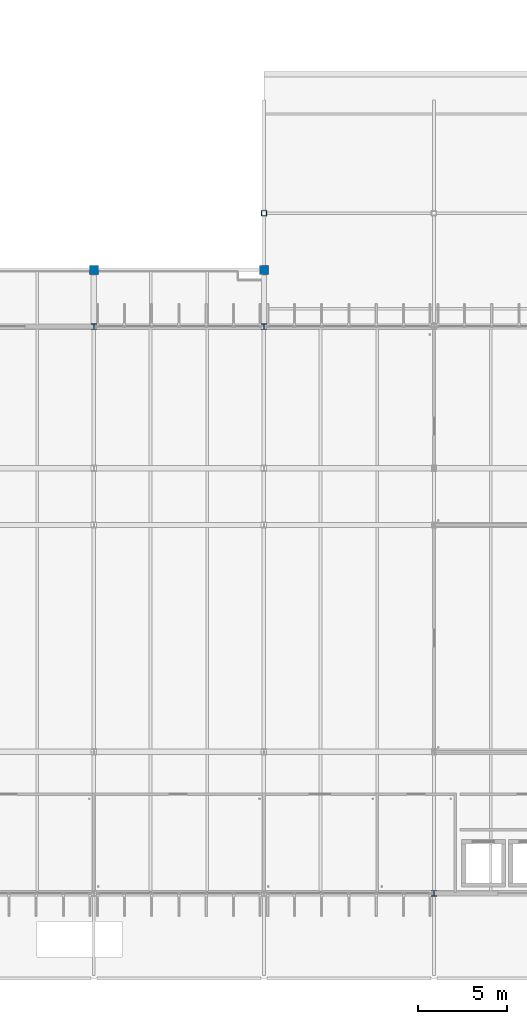
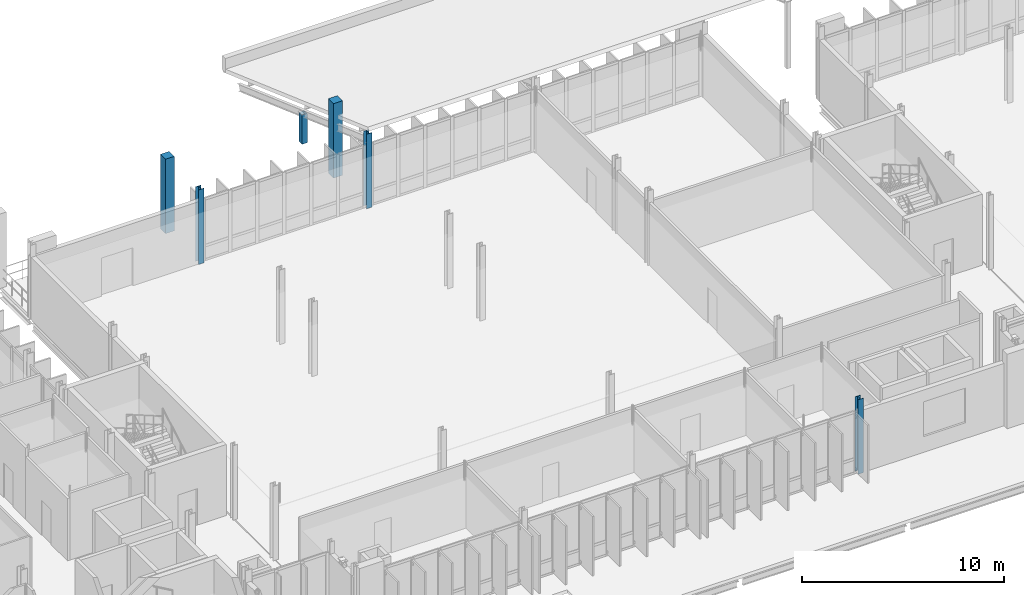
# One storey, part 5 of 107: 6 columns.
"""IFC4 building model written with IfcOpenShell, lengths in metres."""

import ifcopenshell
import ifcopenshell.guid

model = None  # the IFC model being written
_history = None  # IfcOwnerHistory: only IFC2X3 demands one
_inside = {}  # id of a spatial element -> (the spatial element, [elements in it])
_under = {}  # id of a project, library or spatial element -> (it, [spatial elements below it])
_declared = {}  # id of a project -> (the project, [libraries it declares])
_typed = {}  # id of a type object -> (the type object, [elements of that type])
_made_of = {}  # id of a material, layer set ... -> (it, [elements and type objects made of it])


def new_model(schema):
    """Start an empty IFC model of exactly this schema.

    Asked for "IFC4X3", IfcOpenShell would pick the latest addendum, in which some entities
    have other attributes; the version numbers below select the first issue.
    IFC2X3 requires an IfcOwnerHistory on every rooted entity: one is made here for all.
    """
    global model, _history
    if schema == "IFC4X3":
        model = ifcopenshell.file(schema_version=(4, 3, 0, 0))
    else:
        model = ifcopenshell.file(schema=schema)
    _inside.clear()
    _under.clear()
    _declared.clear()
    _typed.clear()
    _made_of.clear()
    _history = None
    if model.schema == "IFC2X3":
        org = make("IfcOrganization", Name="unknown")
        user = make(
            "IfcPersonAndOrganization",
            ThePerson=make("IfcPerson", FamilyName="unknown"),
            TheOrganization=org,
        )
        app = make(
            "IfcApplication",
            ApplicationDeveloper=org,
            Version="unknown",
            ApplicationFullName="unknown",
            ApplicationIdentifier="unknown",
        )
        _history = make(
            "IfcOwnerHistory",
            OwningUser=user,
            OwningApplication=app,
            ChangeAction="ADDED",
            CreationDate=0,
        )
    return model


def make(cls, **values):
    """One entity of the class cls with the attributes given. An attribute that is None is left unset."""
    return model.create_entity(
        cls, **{name: value for name, value in values.items() if value is not None}
    )


def rooted(cls, **values):
    """An entity with a GlobalId (a new one), such as an element, a storey or a relation."""
    return make(cls, GlobalId=ifcopenshell.guid.new(), OwnerHistory=_history, **values)


def si_unit(unit_type, name, prefix=None):
    """IfcSIUnit, for example si_unit("LENGTHUNIT", "METRE", prefix="MILLI")."""
    return make("IfcSIUnit", UnitType=unit_type, Prefix=prefix, Name=name)


def assignment(units):
    """IfcUnitAssignment: the units of a project."""
    return None if units is None else make("IfcUnitAssignment", Units=units)


def point(xyz):
    """IfcCartesianPoint."""
    return None if xyz is None else make("IfcCartesianPoint", Coordinates=xyz)


def direction(xyz):
    """IfcDirection."""
    return None if xyz is None else make("IfcDirection", DirectionRatios=xyz)


def frame(location, z_axis=None, x_axis=None):
    """IfcAxis2Placement3D, a coordinate frame: its origin and axes. An axis left out is left unset."""
    return make(
        "IfcAxis2Placement3D",
        Location=point(location),
        Axis=direction(z_axis),
        RefDirection=direction(x_axis),
    )


def frame_2d(location, x_axis=None):
    """IfcAxis2Placement2D, a coordinate frame in the plane: its origin and x axis."""
    return make(
        "IfcAxis2Placement2D", Location=point(location), RefDirection=direction(x_axis)
    )


def origin():
    """The frame at (0, 0, 0) with its axes left unset."""
    return frame((0.0, 0.0, 0.0))


def origin_2d():
    """The frame at (0, 0) in the plane with its x axis left unset."""
    return frame_2d((0.0, 0.0))


def place(relative_to, where):
    """IfcLocalPlacement: puts the frame where relative to a parent placement (None: the world)."""
    return make(
        "IfcLocalPlacement", PlacementRelTo=relative_to, RelativePlacement=where
    )


def context(
    kind, dimensions, precision=None, world=None, true_north=None, identifier=None
):
    """IfcGeometricRepresentationContext, for example the 3D "Model" context."""
    return make(
        "IfcGeometricRepresentationContext",
        ContextIdentifier=identifier,
        ContextType=kind,
        CoordinateSpaceDimension=dimensions,
        Precision=precision,
        WorldCoordinateSystem=world,
        TrueNorth=true_north,
    )


def subcontext(parent, identifier, kind, view, scale=None):
    """IfcGeometricRepresentationSubContext, for example "Body" below "Model"."""
    return make(
        "IfcGeometricRepresentationSubContext",
        ContextIdentifier=identifier,
        ContextType=kind,
        ParentContext=parent,
        TargetScale=scale,
        TargetView=view,
    )


def project(units=None, contexts=None):
    """IfcProject with its units and contexts."""
    return rooted(
        "IfcProject",
        Name="project",
        RepresentationContexts=contexts,
        UnitsInContext=assignment(units),
    )


def spatial(cls, under=None, at=None, **own):
    """A site, building, storey or space (cls), placed at a placement, below another one or the project."""
    s = rooted(cls, ObjectPlacement=at, **own)
    if under is not None:
        _under.setdefault(under.id(), (under, []))[1].append(s)
    return s


def profile(cls, at=None, kind="AREA", **sizes):
    """A parametric profile (cls). Its sizes go by their IFC names, for example OverallWidth=200.0."""
    return make(cls, ProfileType=kind, Position=at, **sizes)


def rectangle(**sizes):
    """IfcRectangleProfileDef."""
    return profile("IfcRectangleProfileDef", **sizes)


def hollow_rectangle(**sizes):
    """IfcRectangleHollowProfileDef."""
    return profile("IfcRectangleHollowProfileDef", **sizes)


def i_section(**sizes):
    """IfcIShapeProfileDef."""
    return profile("IfcIShapeProfileDef", **sizes)


def extrude(swept, where, along, depth):
    """IfcExtrudedAreaSolid: the profile swept, set in the frame where, extruded along a direction by depth."""
    return make(
        "IfcExtrudedAreaSolid",
        SweptArea=swept,
        Position=where,
        ExtrudedDirection=direction(along),
        Depth=depth,
    )


def shape(context_of_items, identifier, shape_type, items):
    """IfcShapeRepresentation: the items that make up one representation, for example the "Body"."""
    return make(
        "IfcShapeRepresentation",
        ContextOfItems=context_of_items,
        RepresentationIdentifier=identifier,
        RepresentationType=shape_type,
        Items=items,
    )


def material(Name=None, Category=None):
    """IfcMaterial."""
    return make("IfcMaterial", Name=Name, Category=Category)


def material_profile(
    of_material, cross_section, Name=None, Category=None, Priority=None
):
    """IfcMaterialProfile: a cross section and its material."""
    return make(
        "IfcMaterialProfile",
        Name=Name,
        Material=of_material,
        Profile=cross_section,
        Priority=Priority,
        Category=Category,
    )


def profile_set(profiles, Name=None, composite=None):
    """IfcMaterialProfileSet."""
    return make(
        "IfcMaterialProfileSet",
        Name=Name,
        MaterialProfiles=profiles,
        CompositeProfile=composite,
    )


def made_of(thing, what):
    """Note that an element or type object is made of a material, layer set ...; save() writes the relation."""
    if what is not None:
        _made_of.setdefault(what.id(), (what, []))[1].append(thing)
    return thing


def type_object(cls, material=None, **own):
    """A type object (cls), such as IfcWallType, which elements share."""
    return made_of(rooted(cls, **own), material)


def element(
    cls,
    number,
    at=None,
    inside=None,
    cuts=None,
    type_object=None,
    material=None,
    context=None,
    identifier="Body",
    shape_type=None,
    held_by="IfcProductDefinitionShape",
    body=None,
    shapes=None,
    **own,
):
    """One element of the class cls, such as IfcWall. Its Tag is "e" and its number.

    at: its placement. inside: the storey or other place that contains it. cuts: it is an
    opening in that element (IfcRelVoidsElement). A single representation is given by context,
    identifier, shape_type and body (its items); several are given by shapes. held_by: the class
    of the entity that holds the representations. save() writes the other relations.
    """
    e = rooted(cls, Tag="e%d" % number, ObjectPlacement=at, **own)
    if body is not None:
        shapes = [shape(context, identifier, shape_type, body)]
    if shapes is not None:
        e.Representation = make(held_by, Representations=shapes)
    if inside is not None:
        _inside.setdefault(inside.id(), (inside, []))[1].append(e)
    if cuts is not None:
        rooted(
            "IfcRelVoidsElement", RelatingBuildingElement=cuts, RelatedOpeningElement=e
        )
    if type_object is not None:
        _typed.setdefault(type_object.id(), (type_object, []))[1].append(e)
    return made_of(e, material)


def aggregate(whole, parts):
    """IfcRelAggregates: a whole, such as a stair, and the parts it consists of."""
    return rooted("IfcRelAggregates", RelatingObject=whole, RelatedObjects=parts)


def save(model, path):
    """Write the relations noted so far, then the file.

    IfcRelAggregates (storeys below a building ...), IfcRelContainedInSpatialStructure (elements
    in a storey), IfcRelDefinesByType, IfcRelAssociatesMaterial and IfcRelDeclares: one each for
    every whole, place, type object, material and project.
    """
    for whole, parts in _under.values():
        aggregate(whole, parts)
    for where, things in _inside.values():
        rooted(
            "IfcRelContainedInSpatialStructure",
            RelatedElements=things,
            RelatingStructure=where,
        )
    for kind, things in _typed.values():
        rooted("IfcRelDefinesByType", RelatedObjects=things, RelatingType=kind)
    for what, things in _made_of.values():
        rooted("IfcRelAssociatesMaterial", RelatedObjects=things, RelatingMaterial=what)
    for by, libraries in _declared.values():
        rooted("IfcRelDeclares", RelatingContext=by, RelatedDefinitions=libraries)
    model.write(path)


model = new_model("IFC4")

# Units and contexts
model_context = context("Model", 3, precision=1e-05, world=origin(), true_north=direction((0.0, 1.0)))
body_context = subcontext(model_context, "Body", "Model", "MODEL_VIEW")
ifc_project = project(units=[si_unit("LENGTHUNIT", "METRE"), si_unit("AREAUNIT", "SQUARE_METRE"), si_unit("VOLUMEUNIT", "CUBIC_METRE"), si_unit("PLANEANGLEUNIT", "RADIAN"), si_unit("MASSUNIT", "GRAM", prefix="KILO")], contexts=[model_context])

# Site, building, storey
site_placement = place(None, origin())
site = spatial("IfcSite", under=ifc_project, at=site_placement, CompositionType="ELEMENT")
building_placement = place(site_placement, origin())
building = spatial("IfcBuilding", under=site, at=building_placement, Name="Dunescarp Central Library", CompositionType="ELEMENT")
storey_placement = place(building_placement, frame((0.0, 0.0, 5.10009765625)))
storey = spatial("IfcBuildingStorey", under=building, at=storey_placement, Name="L01", CompositionType="ELEMENT", Elevation=5.10009765625)

# Columns
ifc_material_1 = material(Name="Concrete C40/50", Category="concrete")
ifc_material_profile_1 = material_profile(ifc_material_1, rectangle(XDim=0.5, YDim=0.5, at=origin_2d()), Name="RC 500x500")
ifc_profile_set_1 = profile_set([ifc_material_profile_1], Name="Concrete C40/50")
column_type_1 = type_object("IfcColumnType", Name="STR-COL-RC500", PredefinedType="COLUMN", material=ifc_profile_set_1)
for number, where, z_axis, x_axis, name in (
    (1, (48.0, 40.0, 0.0), (0.0, 0.0, 1.0), (1.0, 0.0, 0.0), "L01 column TERP-480-400"),
    (2, (57.60009765625, 40.0, 0.0), (0.0, 0.0, 1.0), (1.0, 0.0, 0.0), "L01 column TERP-576-400"),
):
    element("IfcColumn", number, at=place(storey_placement, frame(where, z_axis=z_axis, x_axis=x_axis)), inside=storey, type_object=column_type_1, Name=name, PredefinedType="COLUMN", context=body_context, shape_type="SweptSolid", body=[
        extrude(rectangle(XDim=0.5, YDim=0.5, at=origin_2d()), origin(), (0.0, 0.0, 1.0), 4.5),
    ])
ifc_material_2 = material(Name="Steel S355J0", Category="steel")
ifc_material_profile_2 = material_profile(ifc_material_2, hollow_rectangle(XDim=0.300048828125, YDim=0.300048828125, WallThickness=0.012451171875, at=origin_2d()), Name="SHS 300x300x12.5")
ifc_profile_set_2 = profile_set([ifc_material_profile_2], Name="Steel S355J0")
column_type_2 = type_object("IfcColumnType", Name="STR-COL-SHS300", PredefinedType="COLUMN", material=ifc_profile_set_2)
column_placement = place(storey_placement, frame((57.60009765625, 43.199951171875, 0.0), z_axis=(0.0, 0.0, 1.0), x_axis=(1.0, 0.0, 0.0)))
element("IfcColumn", 3, at=column_placement, inside=storey, type_object=column_type_2, Name="L01 column CLN-576-432", PredefinedType="COLUMN", context=body_context, shape_type="SweptSolid", body=[
    extrude(hollow_rectangle(XDim=0.300048828125, YDim=0.300048828125, WallThickness=0.012451171875, at=origin_2d()), origin(), (0.0, 0.0, 1.0), 1.77587890625),
])
ifc_material_3 = material(Name="Steel S355JR", Category="steel")
ifc_material_profile_3 = material_profile(ifc_material_3, i_section(OverallWidth=0.30908203125, OverallDepth=0.320556640625, WebThickness=0.013916015625, FlangeThickness=0.021728515625, at=origin_2d()), Name="UC 305x305x137")
ifc_profile_set_3 = profile_set([ifc_material_profile_3], Name="Steel S355JR")
column_type_3 = type_object("IfcColumnType", Name="STR-COL-UC305X137", PredefinedType="COLUMN", material=ifc_profile_set_3)
for number, where, z_axis, x_axis, name in (
    (4, (48.0, 36.800048828125, 0.0), (0.0, 0.0, 1.0), (1.0, 0.0, 0.0), "L01 column V2-480-368"),
    (5, (57.60009765625, 36.800048828125, 0.0), (0.0, 0.0, 1.0), (1.0, 0.0, 0.0), "L01 column V2-576-368"),
    (6, (67.199951171875, 4.800048828125, 0.0), (0.0, 0.0, 1.0), (1.0, 0.0, 0.0), "L01 column V2-672-48"),
):
    element("IfcColumn", number, at=place(storey_placement, frame(where, z_axis=z_axis, x_axis=x_axis)), inside=storey, type_object=column_type_3, Name=name, PredefinedType="COLUMN", context=body_context, shape_type="SweptSolid", body=[
        extrude(i_section(OverallWidth=0.30908203125, OverallDepth=0.320556640625, WebThickness=0.013916015625, FlangeThickness=0.021728515625, at=origin_2d()), origin(), (0.0, 0.0, 1.0), 4.5),
    ])

save(model, "model.ifc")
